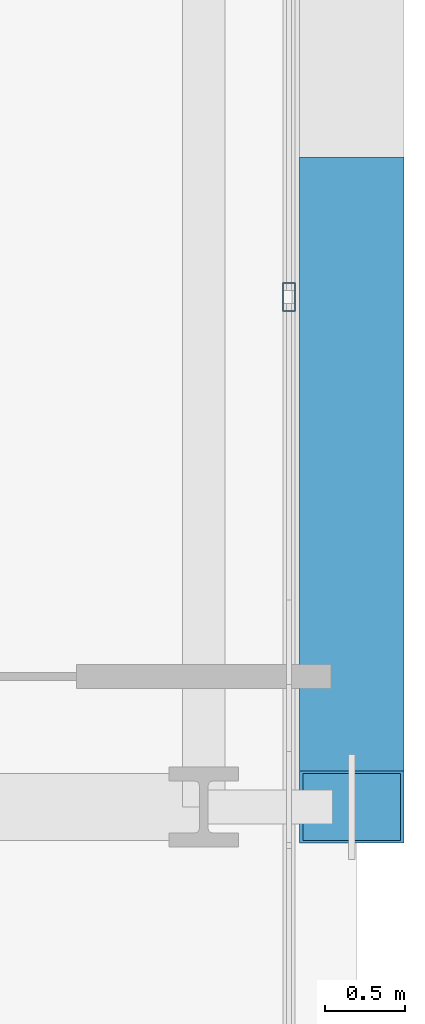
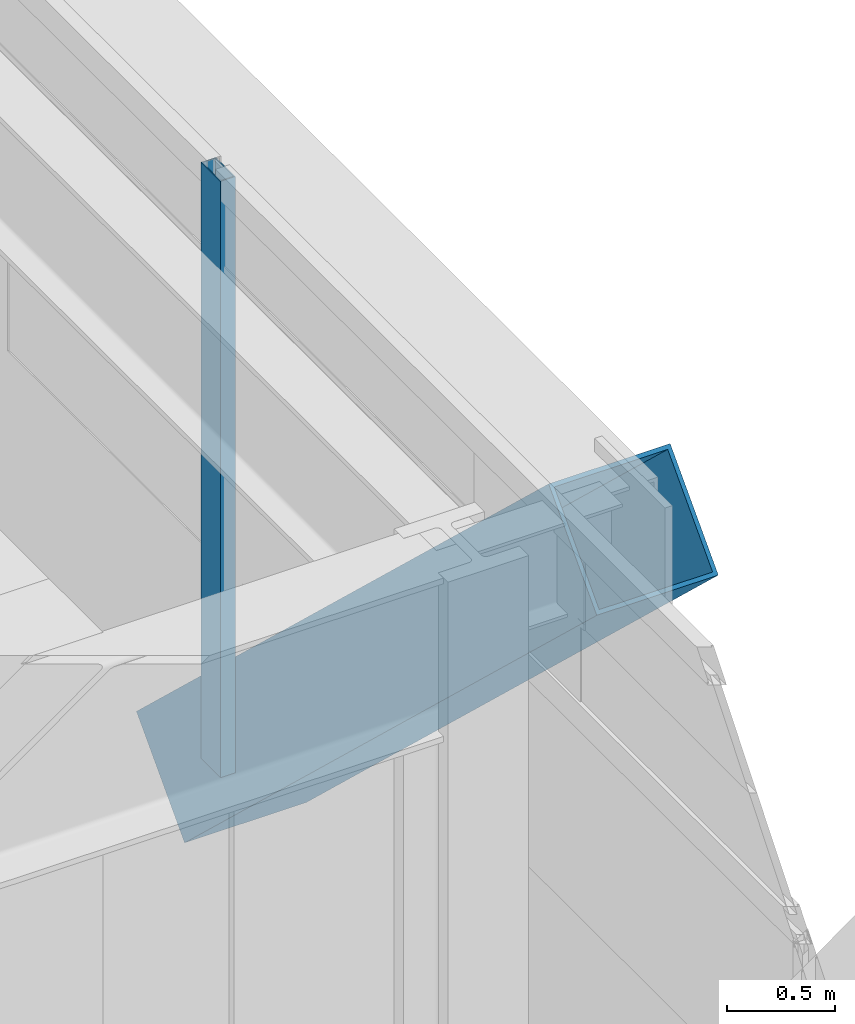
# One storey, part 11 of 34: 2 members, 1 element without a shape of its own.
"""IFC4 building model written with IfcOpenShell, lengths in metres."""

from ifc_helpers import new_model, si_unit, direction, frame, origin, origin_2d, place, context, subcontext, project, spatial, hollow_rectangle, extrude, source, transform, mapped, material, layer, layer_set, material_profile, profile_set, type_object, element, aggregate, save


model = new_model("IFC4")

# Units and contexts
model_context = context("Model", 3, precision=1e-05, world=origin(), true_north=direction((0.0, 1.0)))
body_context = subcontext(model_context, "Body", "Model", "MODEL_VIEW")
ifc_project = project(units=[si_unit("LENGTHUNIT", "METRE"), si_unit("AREAUNIT", "SQUARE_METRE"), si_unit("VOLUMEUNIT", "CUBIC_METRE"), si_unit("PLANEANGLEUNIT", "RADIAN"), si_unit("MASSUNIT", "GRAM", prefix="KILO")], contexts=[model_context])

# Site, building, storey
site_placement = place(None, origin())
site = spatial("IfcSite", under=ifc_project, at=site_placement, CompositionType="ELEMENT")
building_placement = place(site_placement, origin())
building = spatial("IfcBuilding", under=site, at=building_placement, Name="Ocotamira Hotel", CompositionType="ELEMENT")
storey_placement = place(building_placement, frame((0.0, 0.0, 163.199951171875)))
storey = spatial("IfcBuildingStorey", under=building, at=storey_placement, Name="L40", CompositionType="ELEMENT", Elevation=163.199951171875)

# Member
ifc_material_1 = material(Name="Pale-metal coated steel ASTM A913 Grade 65", Category="steel")
ifc_material_profile_1 = material_profile(ifc_material_1, hollow_rectangle(XDim=0.64990234375, YDim=0.64990234375, WallThickness=0.02197265625, at=origin_2d()), Name="BOX650X650X22")
ifc_profile_set_1 = profile_set([ifc_material_profile_1], Name="Pale-metal coated steel ASTM A913 Grade 65")
member_type_1 = type_object("IfcMemberType", Name="MEM-EXO-BOX650", PredefinedType="BRACE", material=ifc_profile_set_1)
shared_shape_1 = source(origin(), body_context, "Body", "SweptSolid", [
    extrude(hollow_rectangle(XDim=0.64990234375, YDim=0.64990234375, WallThickness=0.02197265625, at=origin_2d()), origin(), (0.0, 0.0, 1.0), 5.24658203125),
])
member_1_placement = place(storey_placement, frame((55.969970703125, 18.36669921875, -0.47998046875), z_axis=(0.0, -0.727442733726, 0.686168397078), x_axis=(1.0, 0.0, 0.0)))
element("IfcMember", 1, at=member_1_placement, inside=storey, type_object=member_type_1, Name="L40 Exoskeleton Diagrid E0.1", PredefinedType="BRACE", context=body_context, shape_type="MappedRepresentation", body=[
    mapped(shared_shape_1, transform((0.0, 0.0, 0.0), scale=1.0)),
])

# Curtain wall, member
ifc_material_2 = material(Name="Anodised pale-metal aluminium and solar glass", Category="aluminium")
ifc_layer = layer(ifc_material_2, 0.199951171875)
ifc_layer_set = layer_set([ifc_layer], Name="Anodised pale-metal aluminium and solar glass")
curtain_wall_type = type_object("IfcCurtainWallType", Name="CW-SYS4-Z3", PredefinedType="NOTDEFINED", material=ifc_layer_set)
curtain_wall_placement = place(storey_placement, origin())
curtain_wall = element("IfcCurtainWall", 2, at=curtain_wall_placement, inside=storey, type_object=curtain_wall_type, Name="L40 Curtain Wall CW-4 CW-L40-E", PredefinedType="NOTDEFINED")
ifc_material_3 = material(Name="Anodised pale-metal aluminium 6063-T6", Category="aluminium")
ifc_material_profile_2 = material_profile(ifc_material_3, hollow_rectangle(XDim=0.080078125, YDim=0.179931640625, WallThickness=0.006103515625, at=origin_2d()), Name="HSS180X80X6")
ifc_profile_set_2 = profile_set([ifc_material_profile_2], Name="Anodised pale-metal aluminium 6063-T6")
member_type_2 = type_object("IfcMemberType", Name="CWM-180X75", PredefinedType="MULLION", material=ifc_profile_set_2)
shared_shape_2 = source(origin(), body_context, "Body", "SweptSolid", [
    extrude(hollow_rectangle(XDim=0.080078125, YDim=0.179931640625, WallThickness=0.006103515625, at=origin_2d()), origin(), (0.0, 0.0, 1.0), 3.3701171875),
])
member_2_placement = place(storey_placement, frame((55.580078125, 17.719970703125, 0.0), z_axis=(0.0, 0.0, 1.0), x_axis=(-1.0, 0.0, 0.0)))
member_2 = element("IfcMember", 3, at=member_2_placement, type_object=member_type_2, Name="CW-4 mullion 2", PredefinedType="MULLION", context=body_context, shape_type="MappedRepresentation", body=[
    mapped(shared_shape_2, transform((0.0, 0.0, 0.0), scale=1.0)),
])
aggregate(curtain_wall, [member_2])

save(model, "model.ifc")
